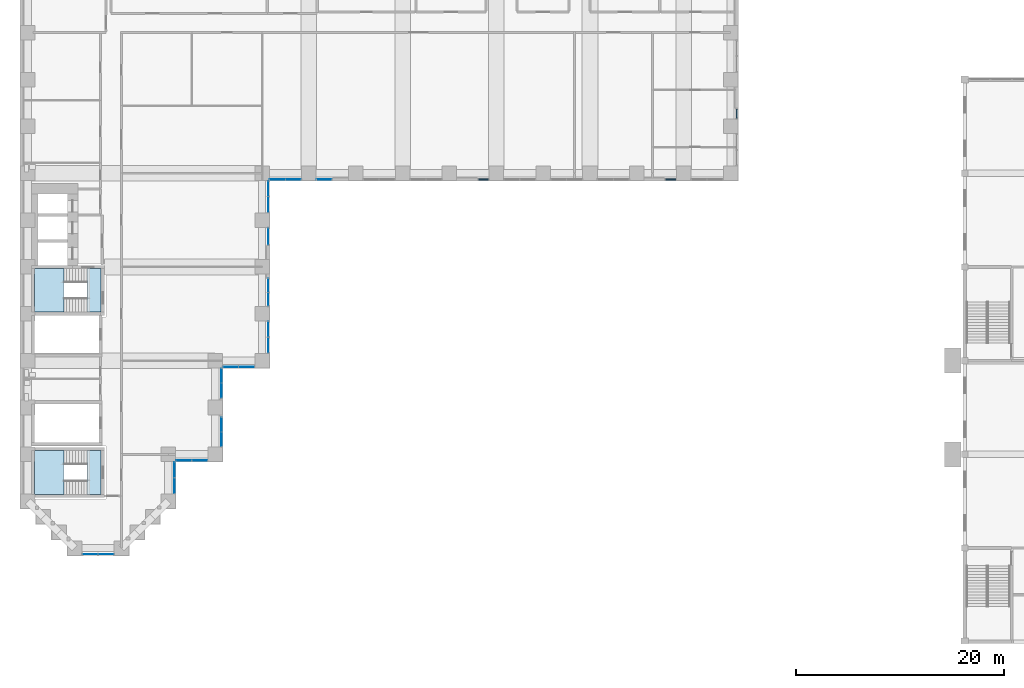
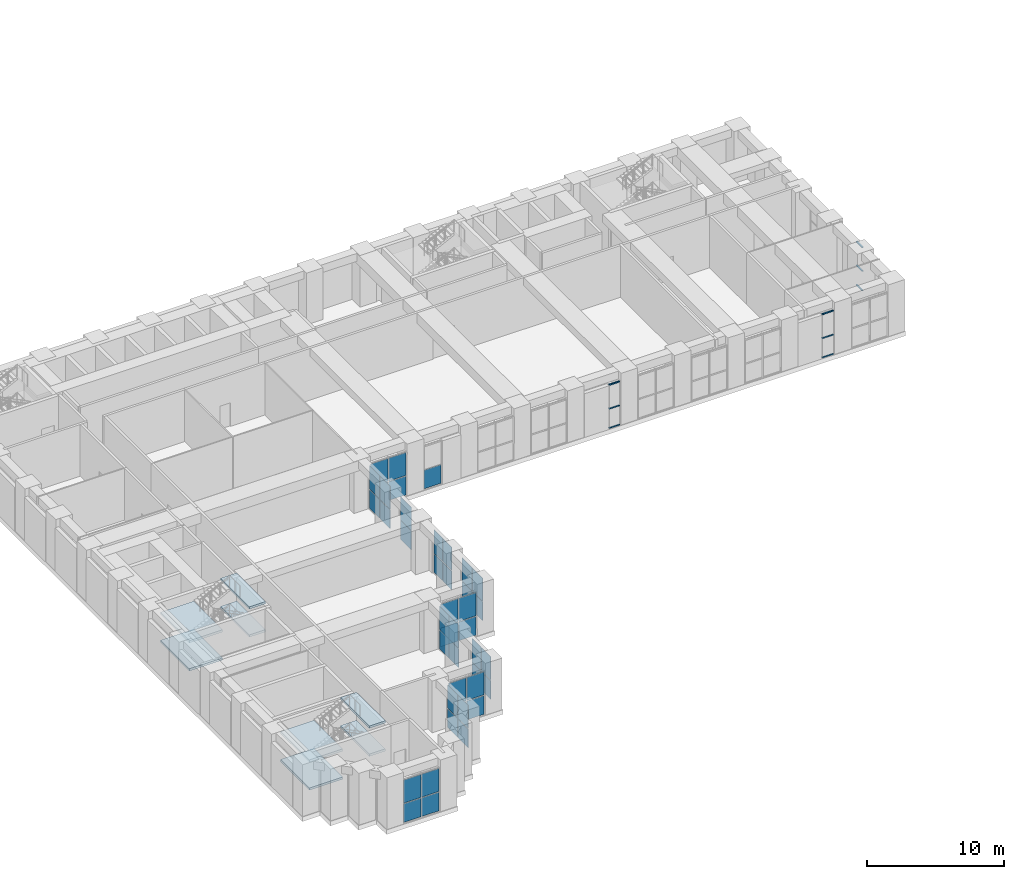
# One storey, part 12 of 34: 43 plates, 9 members, 8 slabs, 17 elements without a shape of their own.
"""IFC4 building model written with IfcOpenShell, lengths in metres."""

from ifc_helpers import new_model, si_unit, direction, frame, origin, origin_2d, place, context, subcontext, project, spatial, polyline, rectangle, outline, extrude, material, layer, layer_set, material_profile, profile_set, type_object, element, aggregate, save


model = new_model("IFC4")

# Units and contexts
model_context = context("Model", 3, precision=1e-05, world=origin(), true_north=direction((0.0, 1.0)))
body_context = subcontext(model_context, "Body", "Model", "MODEL_VIEW")
ifc_project = project(units=[si_unit("LENGTHUNIT", "METRE"), si_unit("AREAUNIT", "SQUARE_METRE"), si_unit("VOLUMEUNIT", "CUBIC_METRE"), si_unit("PLANEANGLEUNIT", "RADIAN"), si_unit("MASSUNIT", "GRAM", prefix="KILO")], contexts=[model_context])

# Site, building, storey
site_placement = place(None, origin())
site = spatial("IfcSite", under=ifc_project, at=site_placement, CompositionType="ELEMENT")
building_placement = place(site_placement, origin())
building = spatial("IfcBuilding", under=site, at=building_placement, Name="Firuza Court", CompositionType="ELEMENT")
storey_placement = place(building_placement, frame((0.0, 0.0, 14.0)))
storey = spatial("IfcBuildingStorey", under=building, at=storey_placement, Name="L02", CompositionType="ELEMENT", Elevation=14.0)

# Curtain wall, members
ifc_material_1 = material(Name="Aluminium curtain wall, triple clear glazing", Category="aluminium")
curtain_wall_type = type_object("IfcCurtainWallType", Name="Podium unitised curtain wall CW1", PredefinedType="NOTDEFINED", material=ifc_material_1)
curtain_wall_1_placement = place(storey_placement, origin())
curtain_wall_1 = element("IfcCurtainWall", 1, at=curtain_wall_1_placement, inside=storey, type_object=curtain_wall_type, Name="Podium unitised curtain wall CW1 L02", PredefinedType="NOTDEFINED")
ifc_material_2 = material(Name="Aluminium EN AW-6060 T66", Category="aluminium")
ifc_material_profile = material_profile(ifc_material_2, rectangle(XDim=0.1201171875, YDim=0.06005859375, at=origin_2d()), Name="Transom 120 x 60 CW1")
ifc_profile_set = profile_set([ifc_material_profile], Name="Aluminium EN AW-6060 T66")
member_type = type_object("IfcMemberType", Name="Transom 120 x 60 CW1", PredefinedType="USERDEFINED", material=ifc_profile_set)
member_1_placement = place(storey_placement, frame((43.336181640625, 35.39990234375, 0.030029296875), z_axis=(1.0, 0.0, 0.0), x_axis=(0.0, 1.0, 0.0)))
member_1 = element("IfcMember", 2, at=member_1_placement, type_object=member_type, Name="CW1 transom 1.1", ObjectType="TRANSOM", PredefinedType="USERDEFINED", context=body_context, shape_type="SweptSolid", body=[
    extrude(rectangle(XDim=0.1201171875, YDim=0.06005859375, at=origin_2d()), origin(), (0.0, 0.0, 1.0), 0.90380859375),
])
member_2_placement = place(storey_placement, frame((43.336181640625, 35.39990234375, 1.7548828125), z_axis=(1.0, 0.0, 0.0), x_axis=(0.0, 1.0, 0.0)))
member_2 = element("IfcMember", 3, at=member_2_placement, type_object=member_type, Name="CW1 transom 1.2", ObjectType="TRANSOM", PredefinedType="USERDEFINED", context=body_context, shape_type="SweptSolid", body=[
    extrude(rectangle(XDim=0.1201171875, YDim=0.06005859375, at=origin_2d()), origin(), (0.0, 0.0, 1.0), 0.90380859375),
])
member_3_placement = place(storey_placement, frame((43.336181640625, 35.39990234375, 3.8701171875), z_axis=(1.0, 0.0, 0.0), x_axis=(0.0, 1.0, 0.0)))
member_3 = element("IfcMember", 4, at=member_3_placement, type_object=member_type, Name="CW1 transom 1.3", ObjectType="TRANSOM", PredefinedType="USERDEFINED", context=body_context, shape_type="SweptSolid", body=[
    extrude(rectangle(XDim=0.1201171875, YDim=0.06005859375, at=origin_2d()), origin(), (0.0, 0.0, 1.0), 0.90380859375),
])
aggregate(curtain_wall_1, [member_1, member_2, member_3])

curtain_wall_2_placement = place(storey_placement, origin())
curtain_wall_2 = element("IfcCurtainWall", 5, at=curtain_wall_2_placement, inside=storey, type_object=curtain_wall_type, Name="Podium unitised curtain wall CW1 L02", PredefinedType="NOTDEFINED")
member_4_placement = place(storey_placement, frame((61.25830078125, 35.39990234375, 0.030029296875), z_axis=(1.0, 0.0, 0.0), x_axis=(0.0, 1.0, 0.0)))
member_4 = element("IfcMember", 6, at=member_4_placement, type_object=member_type, Name="CW1 transom 1.1", ObjectType="TRANSOM", PredefinedType="USERDEFINED", context=body_context, shape_type="SweptSolid", body=[
    extrude(rectangle(XDim=0.1201171875, YDim=0.06005859375, at=origin_2d()), origin(), (0.0, 0.0, 1.0), 0.981689453125),
])
member_5_placement = place(storey_placement, frame((61.25830078125, 35.39990234375, 1.7548828125), z_axis=(1.0, 0.0, 0.0), x_axis=(0.0, 1.0, 0.0)))
member_5 = element("IfcMember", 7, at=member_5_placement, type_object=member_type, Name="CW1 transom 1.2", ObjectType="TRANSOM", PredefinedType="USERDEFINED", context=body_context, shape_type="SweptSolid", body=[
    extrude(rectangle(XDim=0.1201171875, YDim=0.06005859375, at=origin_2d()), origin(), (0.0, 0.0, 1.0), 0.981689453125),
])
member_6_placement = place(storey_placement, frame((61.25830078125, 35.39990234375, 3.8701171875), z_axis=(1.0, 0.0, 0.0), x_axis=(0.0, 1.0, 0.0)))
member_6 = element("IfcMember", 8, at=member_6_placement, type_object=member_type, Name="CW1 transom 1.3", ObjectType="TRANSOM", PredefinedType="USERDEFINED", context=body_context, shape_type="SweptSolid", body=[
    extrude(rectangle(XDim=0.1201171875, YDim=0.06005859375, at=origin_2d()), origin(), (0.0, 0.0, 1.0), 0.981689453125),
])
aggregate(curtain_wall_2, [member_4, member_5, member_6])

curtain_wall_3_placement = place(storey_placement, origin())
curtain_wall_3 = element("IfcCurtainWall", 9, at=curtain_wall_3_placement, inside=storey, type_object=curtain_wall_type, Name="Podium unitised curtain wall CW1 L02", PredefinedType="NOTDEFINED")
member_7_placement = place(storey_placement, frame((68.10009765625, 41.260009765625, 0.030029296875), z_axis=(0.0, 1.0, 0.0), x_axis=(-1.0, 0.0, 0.0)))
member_7 = element("IfcMember", 10, at=member_7_placement, type_object=member_type, Name="CW1 transom 1.1", ObjectType="TRANSOM", PredefinedType="USERDEFINED", context=body_context, shape_type="SweptSolid", body=[
    extrude(rectangle(XDim=0.1201171875, YDim=0.06005859375, at=origin_2d()), origin(), (0.0, 0.0, 1.0), 0.90380859375),
])
member_8_placement = place(storey_placement, frame((68.10009765625, 41.260009765625, 1.7548828125), z_axis=(0.0, 1.0, 0.0), x_axis=(-1.0, 0.0, 0.0)))
member_8 = element("IfcMember", 11, at=member_8_placement, type_object=member_type, Name="CW1 transom 1.2", ObjectType="TRANSOM", PredefinedType="USERDEFINED", context=body_context, shape_type="SweptSolid", body=[
    extrude(rectangle(XDim=0.1201171875, YDim=0.06005859375, at=origin_2d()), origin(), (0.0, 0.0, 1.0), 0.90380859375),
])
member_9_placement = place(storey_placement, frame((68.10009765625, 41.260009765625, 3.8701171875), z_axis=(0.0, 1.0, 0.0), x_axis=(-1.0, 0.0, 0.0)))
member_9 = element("IfcMember", 12, at=member_9_placement, type_object=member_type, Name="CW1 transom 1.3", ObjectType="TRANSOM", PredefinedType="USERDEFINED", context=body_context, shape_type="SweptSolid", body=[
    extrude(rectangle(XDim=0.1201171875, YDim=0.06005859375, at=origin_2d()), origin(), (0.0, 0.0, 1.0), 0.90380859375),
])
aggregate(curtain_wall_3, [member_7, member_8, member_9])

# Curtain wall, plates
curtain_wall_4_placement = place(storey_placement, origin())
curtain_wall_4 = element("IfcCurtainWall", 13, at=curtain_wall_4_placement, inside=storey, type_object=curtain_wall_type, Name="Podium unitised curtain wall CW1 L02", PredefinedType="NOTDEFINED")
ifc_material_3 = material(Name="Triple clear glazing", Category="glass")
ifc_layer_1 = layer(ifc_material_3, 0.031982421875)
ifc_layer_set_1 = layer_set([ifc_layer_1], Name="Triple clear glazing")
plate_type = type_object("IfcPlateType", Name="Glazed panel 32 CW1", PredefinedType="CURTAIN_PANEL", material=ifc_layer_set_1)
plate_1_placement = place(storey_placement, frame((14.10009765625, 5.989990234375, 0.06005859375), z_axis=(0.0, 0.0, 1.0), x_axis=(0.0, 1.0, 0.0)))
plate_1 = element("IfcPlate", 14, at=plate_1_placement, type_object=plate_type, Name="CW1 panel 1.1", PredefinedType="CURTAIN_PANEL", context=body_context, shape_type="SweptSolid", body=[
    extrude(rectangle(XDim=1.4599609375, YDim=0.031982421875, at=origin_2d()), origin(), (0.0, 0.0, 1.0), 1.6650390625),
])
plate_2_placement = place(storey_placement, frame((14.10009765625, 5.989990234375, 1.78515625), z_axis=(0.0, 0.0, 1.0), x_axis=(0.0, 1.0, 0.0)))
plate_2 = element("IfcPlate", 15, at=plate_2_placement, type_object=plate_type, Name="CW1 panel 1.2", PredefinedType="CURTAIN_PANEL", context=body_context, shape_type="SweptSolid", body=[
    extrude(rectangle(XDim=1.4599609375, YDim=0.031982421875, at=origin_2d()), origin(), (0.0, 0.0, 1.0), 2.054931640625),
])
plate_3_placement = place(storey_placement, frame((14.10009765625, 7.510009765625, 0.06005859375), z_axis=(0.0, 0.0, 1.0), x_axis=(0.0, 1.0, 0.0)))
plate_3 = element("IfcPlate", 16, at=plate_3_placement, type_object=plate_type, Name="CW1 panel 2.1", PredefinedType="CURTAIN_PANEL", context=body_context, shape_type="SweptSolid", body=[
    extrude(rectangle(XDim=1.4599609375, YDim=0.031982421875, at=origin_2d()), origin(), (0.0, 0.0, 1.0), 1.6650390625),
])
plate_4_placement = place(storey_placement, frame((14.10009765625, 7.510009765625, 1.78515625), z_axis=(0.0, 0.0, 1.0), x_axis=(0.0, 1.0, 0.0)))
plate_4 = element("IfcPlate", 17, at=plate_4_placement, type_object=plate_type, Name="CW1 panel 2.2", PredefinedType="CURTAIN_PANEL", context=body_context, shape_type="SweptSolid", body=[
    extrude(rectangle(XDim=1.4599609375, YDim=0.031982421875, at=origin_2d()), origin(), (0.0, 0.0, 1.0), 2.054931640625),
])
aggregate(curtain_wall_4, [plate_1, plate_2, plate_3, plate_4])

curtain_wall_5_placement = place(storey_placement, origin())
curtain_wall_5 = element("IfcCurtainWall", 18, at=curtain_wall_5_placement, inside=storey, type_object=curtain_wall_type, Name="Podium unitised curtain wall CW1 L02", PredefinedType="NOTDEFINED")
plate_5_placement = place(storey_placement, frame((14.989990234375, 8.39990234375, 0.06005859375), z_axis=(0.0, 0.0, 1.0), x_axis=(1.0, 0.0, 0.0)))
plate_5 = element("IfcPlate", 19, at=plate_5_placement, type_object=plate_type, Name="CW1 panel 1.1", PredefinedType="CURTAIN_PANEL", context=body_context, shape_type="SweptSolid", body=[
    extrude(rectangle(XDim=1.4599609375, YDim=0.031982421875, at=origin_2d()), origin(), (0.0, 0.0, 1.0), 1.6650390625),
])
plate_6_placement = place(storey_placement, frame((14.989990234375, 8.39990234375, 1.78515625), z_axis=(0.0, 0.0, 1.0), x_axis=(1.0, 0.0, 0.0)))
plate_6 = element("IfcPlate", 20, at=plate_6_placement, type_object=plate_type, Name="CW1 panel 1.2", PredefinedType="CURTAIN_PANEL", context=body_context, shape_type="SweptSolid", body=[
    extrude(rectangle(XDim=1.4599609375, YDim=0.031982421875, at=origin_2d()), origin(), (0.0, 0.0, 1.0), 2.054931640625),
])
plate_7_placement = place(storey_placement, frame((16.510009765625, 8.39990234375, 0.06005859375), z_axis=(0.0, 0.0, 1.0), x_axis=(1.0, 0.0, 0.0)))
plate_7 = element("IfcPlate", 21, at=plate_7_placement, type_object=plate_type, Name="CW1 panel 2.1", PredefinedType="CURTAIN_PANEL", context=body_context, shape_type="SweptSolid", body=[
    extrude(rectangle(XDim=1.4599609375, YDim=0.031982421875, at=origin_2d()), origin(), (0.0, 0.0, 1.0), 1.6650390625),
])
plate_8_placement = place(storey_placement, frame((16.510009765625, 8.39990234375, 1.78515625), z_axis=(0.0, 0.0, 1.0), x_axis=(1.0, 0.0, 0.0)))
plate_8 = element("IfcPlate", 22, at=plate_8_placement, type_object=plate_type, Name="CW1 panel 2.2", PredefinedType="CURTAIN_PANEL", context=body_context, shape_type="SweptSolid", body=[
    extrude(rectangle(XDim=1.4599609375, YDim=0.031982421875, at=origin_2d()), origin(), (0.0, 0.0, 1.0), 2.054931640625),
])
aggregate(curtain_wall_5, [plate_5, plate_6, plate_7, plate_8])

curtain_wall_6_placement = place(storey_placement, origin())
curtain_wall_6 = element("IfcCurtainWall", 23, at=curtain_wall_6_placement, inside=storey, type_object=curtain_wall_type, Name="Podium unitised curtain wall CW1 L02", PredefinedType="NOTDEFINED")
plate_9_placement = place(storey_placement, frame((18.60009765625, 10.4296875, 0.06005859375), z_axis=(0.0, 0.0, 1.0), x_axis=(0.0, 1.0, 0.0)))
plate_9 = element("IfcPlate", 24, at=plate_9_placement, type_object=plate_type, Name="CW1 panel 1.1", PredefinedType="CURTAIN_PANEL", context=body_context, shape_type="SweptSolid", body=[
    extrude(rectangle(XDim=1.339599609375, YDim=0.031982421875, at=origin_2d()), origin(), (0.0, 0.0, 1.0), 1.6650390625),
])
plate_10_placement = place(storey_placement, frame((18.60009765625, 10.4296875, 1.78515625), z_axis=(0.0, 0.0, 1.0), x_axis=(0.0, 1.0, 0.0)))
plate_10 = element("IfcPlate", 25, at=plate_10_placement, type_object=plate_type, Name="CW1 panel 1.2", PredefinedType="CURTAIN_PANEL", context=body_context, shape_type="SweptSolid", body=[
    extrude(rectangle(XDim=1.339599609375, YDim=0.031982421875, at=origin_2d()), origin(), (0.0, 0.0, 1.0), 2.054931640625),
])
plate_11_placement = place(storey_placement, frame((18.60009765625, 11.829345703125, 0.06005859375), z_axis=(0.0, 0.0, 1.0), x_axis=(0.0, 1.0, 0.0)))
plate_11 = element("IfcPlate", 26, at=plate_11_placement, type_object=plate_type, Name="CW1 panel 2.1", PredefinedType="CURTAIN_PANEL", context=body_context, shape_type="SweptSolid", body=[
    extrude(rectangle(XDim=1.339599609375, YDim=0.031982421875, at=origin_2d()), origin(), (0.0, 0.0, 1.0), 1.6650390625),
])
plate_12_placement = place(storey_placement, frame((18.60009765625, 11.829345703125, 1.78515625), z_axis=(0.0, 0.0, 1.0), x_axis=(0.0, 1.0, 0.0)))
plate_12 = element("IfcPlate", 27, at=plate_12_placement, type_object=plate_type, Name="CW1 panel 2.2", PredefinedType="CURTAIN_PANEL", context=body_context, shape_type="SweptSolid", body=[
    extrude(rectangle(XDim=1.339599609375, YDim=0.031982421875, at=origin_2d()), origin(), (0.0, 0.0, 1.0), 2.054931640625),
])
aggregate(curtain_wall_6, [plate_9, plate_10, plate_11, plate_12])

curtain_wall_7_placement = place(storey_placement, origin())
curtain_wall_7 = element("IfcCurtainWall", 28, at=curtain_wall_7_placement, inside=storey, type_object=curtain_wall_type, Name="Podium unitised curtain wall CW1 L02", PredefinedType="NOTDEFINED")
plate_13_placement = place(storey_placement, frame((18.60009765625, 15.13525390625, 0.06005859375), z_axis=(0.0, 0.0, 1.0), x_axis=(0.0, 1.0, 0.0)))
plate_13 = element("IfcPlate", 29, at=plate_13_placement, type_object=plate_type, Name="CW1 panel 1.1", PredefinedType="CURTAIN_PANEL", context=body_context, shape_type="SweptSolid", body=[
    extrude(rectangle(XDim=1.363037109375, YDim=0.031982421875, at=origin_2d()), origin(), (0.0, 0.0, 1.0), 1.6650390625),
])
plate_14_placement = place(storey_placement, frame((18.60009765625, 15.13525390625, 1.78515625), z_axis=(0.0, 0.0, 1.0), x_axis=(0.0, 1.0, 0.0)))
plate_14 = element("IfcPlate", 30, at=plate_14_placement, type_object=plate_type, Name="CW1 panel 1.2", PredefinedType="CURTAIN_PANEL", context=body_context, shape_type="SweptSolid", body=[
    extrude(rectangle(XDim=1.363037109375, YDim=0.031982421875, at=origin_2d()), origin(), (0.0, 0.0, 1.0), 2.054931640625),
])
plate_15_placement = place(storey_placement, frame((18.60009765625, 16.558349609375, 0.06005859375), z_axis=(0.0, 0.0, 1.0), x_axis=(0.0, 1.0, 0.0)))
plate_15 = element("IfcPlate", 31, at=plate_15_placement, type_object=plate_type, Name="CW1 panel 2.1", PredefinedType="CURTAIN_PANEL", context=body_context, shape_type="SweptSolid", body=[
    extrude(rectangle(XDim=1.363037109375, YDim=0.031982421875, at=origin_2d()), origin(), (0.0, 0.0, 1.0), 1.6650390625),
])
plate_16_placement = place(storey_placement, frame((18.60009765625, 16.558349609375, 1.78515625), z_axis=(0.0, 0.0, 1.0), x_axis=(0.0, 1.0, 0.0)))
plate_16 = element("IfcPlate", 32, at=plate_16_placement, type_object=plate_type, Name="CW1 panel 2.2", PredefinedType="CURTAIN_PANEL", context=body_context, shape_type="SweptSolid", body=[
    extrude(rectangle(XDim=1.363037109375, YDim=0.031982421875, at=origin_2d()), origin(), (0.0, 0.0, 1.0), 2.054931640625),
])
aggregate(curtain_wall_7, [plate_13, plate_14, plate_15, plate_16])

curtain_wall_8_placement = place(storey_placement, origin())
curtain_wall_8 = element("IfcCurtainWall", 33, at=curtain_wall_8_placement, inside=storey, type_object=curtain_wall_type, Name="Podium unitised curtain wall CW1 L02", PredefinedType="NOTDEFINED")
plate_17_placement = place(storey_placement, frame((19.489990234375, 17.39990234375, 0.06005859375), z_axis=(0.0, 0.0, 1.0), x_axis=(1.0, 0.0, 0.0)))
plate_17 = element("IfcPlate", 34, at=plate_17_placement, type_object=plate_type, Name="CW1 panel 1.1", PredefinedType="CURTAIN_PANEL", context=body_context, shape_type="SweptSolid", body=[
    extrude(rectangle(XDim=1.4599609375, YDim=0.031982421875, at=origin_2d()), origin(), (0.0, 0.0, 1.0), 1.6650390625),
])
plate_18_placement = place(storey_placement, frame((19.489990234375, 17.39990234375, 1.78515625), z_axis=(0.0, 0.0, 1.0), x_axis=(1.0, 0.0, 0.0)))
plate_18 = element("IfcPlate", 35, at=plate_18_placement, type_object=plate_type, Name="CW1 panel 1.2", PredefinedType="CURTAIN_PANEL", context=body_context, shape_type="SweptSolid", body=[
    extrude(rectangle(XDim=1.4599609375, YDim=0.031982421875, at=origin_2d()), origin(), (0.0, 0.0, 1.0), 2.054931640625),
])
plate_19_placement = place(storey_placement, frame((21.010009765625, 17.39990234375, 0.06005859375), z_axis=(0.0, 0.0, 1.0), x_axis=(1.0, 0.0, 0.0)))
plate_19 = element("IfcPlate", 36, at=plate_19_placement, type_object=plate_type, Name="CW1 panel 2.1", PredefinedType="CURTAIN_PANEL", context=body_context, shape_type="SweptSolid", body=[
    extrude(rectangle(XDim=1.4599609375, YDim=0.031982421875, at=origin_2d()), origin(), (0.0, 0.0, 1.0), 1.6650390625),
])
plate_20_placement = place(storey_placement, frame((21.010009765625, 17.39990234375, 1.78515625), z_axis=(0.0, 0.0, 1.0), x_axis=(1.0, 0.0, 0.0)))
plate_20 = element("IfcPlate", 37, at=plate_20_placement, type_object=plate_type, Name="CW1 panel 2.2", PredefinedType="CURTAIN_PANEL", context=body_context, shape_type="SweptSolid", body=[
    extrude(rectangle(XDim=1.4599609375, YDim=0.031982421875, at=origin_2d()), origin(), (0.0, 0.0, 1.0), 2.054931640625),
])
aggregate(curtain_wall_8, [plate_17, plate_18, plate_19, plate_20])

curtain_wall_9_placement = place(storey_placement, origin())
curtain_wall_9 = element("IfcCurtainWall", 38, at=curtain_wall_9_placement, inside=storey, type_object=curtain_wall_type, Name="Podium unitised curtain wall CW1 L02", PredefinedType="NOTDEFINED")
plate_21_placement = place(storey_placement, frame((23.10009765625, 19.489990234375, 0.06005859375), z_axis=(0.0, 0.0, 1.0), x_axis=(0.0, 1.0, 0.0)))
plate_21 = element("IfcPlate", 39, at=plate_21_placement, type_object=plate_type, Name="CW1 panel 1.1", PredefinedType="CURTAIN_PANEL", context=body_context, shape_type="SweptSolid", body=[
    extrude(rectangle(XDim=1.4599609375, YDim=0.031982421875, at=origin_2d()), origin(), (0.0, 0.0, 1.0), 1.6650390625),
])
plate_22_placement = place(storey_placement, frame((23.10009765625, 19.489990234375, 1.78515625), z_axis=(0.0, 0.0, 1.0), x_axis=(0.0, 1.0, 0.0)))
plate_22 = element("IfcPlate", 40, at=plate_22_placement, type_object=plate_type, Name="CW1 panel 1.2", PredefinedType="CURTAIN_PANEL", context=body_context, shape_type="SweptSolid", body=[
    extrude(rectangle(XDim=1.4599609375, YDim=0.031982421875, at=origin_2d()), origin(), (0.0, 0.0, 1.0), 2.054931640625),
])
plate_23_placement = place(storey_placement, frame((23.10009765625, 21.010009765625, 0.06005859375), z_axis=(0.0, 0.0, 1.0), x_axis=(0.0, 1.0, 0.0)))
plate_23 = element("IfcPlate", 41, at=plate_23_placement, type_object=plate_type, Name="CW1 panel 2.1", PredefinedType="CURTAIN_PANEL", context=body_context, shape_type="SweptSolid", body=[
    extrude(rectangle(XDim=1.4599609375, YDim=0.031982421875, at=origin_2d()), origin(), (0.0, 0.0, 1.0), 1.6650390625),
])
plate_24_placement = place(storey_placement, frame((23.10009765625, 21.010009765625, 1.78515625), z_axis=(0.0, 0.0, 1.0), x_axis=(0.0, 1.0, 0.0)))
plate_24 = element("IfcPlate", 42, at=plate_24_placement, type_object=plate_type, Name="CW1 panel 2.2", PredefinedType="CURTAIN_PANEL", context=body_context, shape_type="SweptSolid", body=[
    extrude(rectangle(XDim=1.4599609375, YDim=0.031982421875, at=origin_2d()), origin(), (0.0, 0.0, 1.0), 2.054931640625),
])
aggregate(curtain_wall_9, [plate_21, plate_22, plate_23, plate_24])

curtain_wall_10_placement = place(storey_placement, origin())
curtain_wall_10 = element("IfcCurtainWall", 43, at=curtain_wall_10_placement, inside=storey, type_object=curtain_wall_type, Name="Podium unitised curtain wall CW1 L02", PredefinedType="NOTDEFINED")
plate_25_placement = place(storey_placement, frame((23.10009765625, 23.89306640625, 0.06005859375), z_axis=(0.0, 0.0, 1.0), x_axis=(0.0, 1.0, 0.0)))
plate_25 = element("IfcPlate", 44, at=plate_25_placement, type_object=plate_type, Name="CW1 panel 1.1", PredefinedType="CURTAIN_PANEL", context=body_context, shape_type="SweptSolid", body=[
    extrude(rectangle(XDim=1.26611328125, YDim=0.031982421875, at=origin_2d()), origin(), (0.0, 0.0, 1.0), 1.6650390625),
])
plate_26_placement = place(storey_placement, frame((23.10009765625, 23.89306640625, 1.78515625), z_axis=(0.0, 0.0, 1.0), x_axis=(0.0, 1.0, 0.0)))
plate_26 = element("IfcPlate", 45, at=plate_26_placement, type_object=plate_type, Name="CW1 panel 1.2", PredefinedType="CURTAIN_PANEL", context=body_context, shape_type="SweptSolid", body=[
    extrude(rectangle(XDim=1.26611328125, YDim=0.031982421875, at=origin_2d()), origin(), (0.0, 0.0, 1.0), 2.054931640625),
])
plate_27_placement = place(storey_placement, frame((23.10009765625, 25.21923828125, 0.06005859375), z_axis=(0.0, 0.0, 1.0), x_axis=(0.0, 1.0, 0.0)))
plate_27 = element("IfcPlate", 46, at=plate_27_placement, type_object=plate_type, Name="CW1 panel 2.1", PredefinedType="CURTAIN_PANEL", context=body_context, shape_type="SweptSolid", body=[
    extrude(rectangle(XDim=1.26611328125, YDim=0.031982421875, at=origin_2d()), origin(), (0.0, 0.0, 1.0), 1.6650390625),
])
plate_28_placement = place(storey_placement, frame((23.10009765625, 25.21923828125, 1.78515625), z_axis=(0.0, 0.0, 1.0), x_axis=(0.0, 1.0, 0.0)))
plate_28 = element("IfcPlate", 47, at=plate_28_placement, type_object=plate_type, Name="CW1 panel 2.2", PredefinedType="CURTAIN_PANEL", context=body_context, shape_type="SweptSolid", body=[
    extrude(rectangle(XDim=1.26611328125, YDim=0.031982421875, at=origin_2d()), origin(), (0.0, 0.0, 1.0), 2.054931640625),
])
aggregate(curtain_wall_10, [plate_25, plate_26, plate_27, plate_28])

curtain_wall_11_placement = place(storey_placement, origin())
curtain_wall_11 = element("IfcCurtainWall", 48, at=curtain_wall_11_placement, inside=storey, type_object=curtain_wall_type, Name="Podium unitised curtain wall CW1 L02", PredefinedType="NOTDEFINED")
plate_29_placement = place(storey_placement, frame((23.10009765625, 29.934326171875, 0.06005859375), z_axis=(0.0, 0.0, 1.0), x_axis=(0.0, 1.0, 0.0)))
plate_29 = element("IfcPlate", 49, at=plate_29_placement, type_object=plate_type, Name="CW1 panel 1.1", PredefinedType="CURTAIN_PANEL", context=body_context, shape_type="SweptSolid", body=[
    extrude(rectangle(XDim=1.611328125, YDim=0.031982421875, at=origin_2d()), origin(), (0.0, 0.0, 1.0), 1.6650390625),
])
plate_30_placement = place(storey_placement, frame((23.10009765625, 29.934326171875, 1.78515625), z_axis=(0.0, 0.0, 1.0), x_axis=(0.0, 1.0, 0.0)))
plate_30 = element("IfcPlate", 50, at=plate_30_placement, type_object=plate_type, Name="CW1 panel 1.2", PredefinedType="CURTAIN_PANEL", context=body_context, shape_type="SweptSolid", body=[
    extrude(rectangle(XDim=1.611328125, YDim=0.031982421875, at=origin_2d()), origin(), (0.0, 0.0, 1.0), 2.054931640625),
])
aggregate(curtain_wall_11, [plate_29, plate_30])

curtain_wall_12_placement = place(storey_placement, origin())
curtain_wall_12 = element("IfcCurtainWall", 51, at=curtain_wall_12_placement, inside=storey, type_object=curtain_wall_type, Name="Podium unitised curtain wall CW1 L02", PredefinedType="NOTDEFINED")
plate_31_placement = place(storey_placement, frame((23.10009765625, 32.989990234375, 0.06005859375), z_axis=(0.0, 0.0, 1.0), x_axis=(0.0, 1.0, 0.0)))
plate_31 = element("IfcPlate", 52, at=plate_31_placement, type_object=plate_type, Name="CW1 panel 1.1", PredefinedType="CURTAIN_PANEL", context=body_context, shape_type="SweptSolid", body=[
    extrude(rectangle(XDim=1.4599609375, YDim=0.031982421875, at=origin_2d()), origin(), (0.0, 0.0, 1.0), 1.6650390625),
])
plate_32_placement = place(storey_placement, frame((23.10009765625, 32.989990234375, 1.78515625), z_axis=(0.0, 0.0, 1.0), x_axis=(0.0, 1.0, 0.0)))
plate_32 = element("IfcPlate", 53, at=plate_32_placement, type_object=plate_type, Name="CW1 panel 1.2", PredefinedType="CURTAIN_PANEL", context=body_context, shape_type="SweptSolid", body=[
    extrude(rectangle(XDim=1.4599609375, YDim=0.031982421875, at=origin_2d()), origin(), (0.0, 0.0, 1.0), 2.054931640625),
])
plate_33_placement = place(storey_placement, frame((23.10009765625, 34.510009765625, 0.06005859375), z_axis=(0.0, 0.0, 1.0), x_axis=(0.0, 1.0, 0.0)))
plate_33 = element("IfcPlate", 54, at=plate_33_placement, type_object=plate_type, Name="CW1 panel 2.1", PredefinedType="CURTAIN_PANEL", context=body_context, shape_type="SweptSolid", body=[
    extrude(rectangle(XDim=1.4599609375, YDim=0.031982421875, at=origin_2d()), origin(), (0.0, 0.0, 1.0), 1.6650390625),
])
plate_34_placement = place(storey_placement, frame((23.10009765625, 34.510009765625, 1.78515625), z_axis=(0.0, 0.0, 1.0), x_axis=(0.0, 1.0, 0.0)))
plate_34 = element("IfcPlate", 55, at=plate_34_placement, type_object=plate_type, Name="CW1 panel 2.2", PredefinedType="CURTAIN_PANEL", context=body_context, shape_type="SweptSolid", body=[
    extrude(rectangle(XDim=1.4599609375, YDim=0.031982421875, at=origin_2d()), origin(), (0.0, 0.0, 1.0), 2.054931640625),
])
aggregate(curtain_wall_12, [plate_31, plate_32, plate_33, plate_34])

curtain_wall_13_placement = place(storey_placement, origin())
curtain_wall_13 = element("IfcCurtainWall", 56, at=curtain_wall_13_placement, inside=storey, type_object=curtain_wall_type, Name="Podium unitised curtain wall CW1 L02", PredefinedType="NOTDEFINED")
plate_35_placement = place(storey_placement, frame((23.989990234375, 35.39990234375, 0.06005859375), z_axis=(0.0, 0.0, 1.0), x_axis=(1.0, 0.0, 0.0)))
plate_35 = element("IfcPlate", 57, at=plate_35_placement, type_object=plate_type, Name="CW1 panel 1.1", PredefinedType="CURTAIN_PANEL", context=body_context, shape_type="SweptSolid", body=[
    extrude(rectangle(XDim=1.4599609375, YDim=0.031982421875, at=origin_2d()), origin(), (0.0, 0.0, 1.0), 1.6650390625),
])
plate_36_placement = place(storey_placement, frame((23.989990234375, 35.39990234375, 1.78515625), z_axis=(0.0, 0.0, 1.0), x_axis=(1.0, 0.0, 0.0)))
plate_36 = element("IfcPlate", 58, at=plate_36_placement, type_object=plate_type, Name="CW1 panel 1.2", PredefinedType="CURTAIN_PANEL", context=body_context, shape_type="SweptSolid", body=[
    extrude(rectangle(XDim=1.4599609375, YDim=0.031982421875, at=origin_2d()), origin(), (0.0, 0.0, 1.0), 2.054931640625),
])
plate_37_placement = place(storey_placement, frame((25.510009765625, 35.39990234375, 0.06005859375), z_axis=(0.0, 0.0, 1.0), x_axis=(1.0, 0.0, 0.0)))
plate_37 = element("IfcPlate", 59, at=plate_37_placement, type_object=plate_type, Name="CW1 panel 2.1", PredefinedType="CURTAIN_PANEL", context=body_context, shape_type="SweptSolid", body=[
    extrude(rectangle(XDim=1.4599609375, YDim=0.031982421875, at=origin_2d()), origin(), (0.0, 0.0, 1.0), 1.6650390625),
])
plate_38_placement = place(storey_placement, frame((25.510009765625, 35.39990234375, 1.78515625), z_axis=(0.0, 0.0, 1.0), x_axis=(1.0, 0.0, 0.0)))
plate_38 = element("IfcPlate", 60, at=plate_38_placement, type_object=plate_type, Name="CW1 panel 2.2", PredefinedType="CURTAIN_PANEL", context=body_context, shape_type="SweptSolid", body=[
    extrude(rectangle(XDim=1.4599609375, YDim=0.031982421875, at=origin_2d()), origin(), (0.0, 0.0, 1.0), 2.054931640625),
])
aggregate(curtain_wall_13, [plate_35, plate_36, plate_37, plate_38])

# Curtain wall, plate
curtain_wall_14_placement = place(storey_placement, origin())
curtain_wall_14 = element("IfcCurtainWall", 61, at=curtain_wall_14_placement, inside=storey, type_object=curtain_wall_type, Name="Podium unitised curtain wall CW1 L02", PredefinedType="NOTDEFINED")
plate_39_placement = place(storey_placement, frame((28.468017578125, 35.39990234375, 0.06005859375), z_axis=(0.0, 0.0, 1.0), x_axis=(1.0, 0.0, 0.0)))
plate_39 = element("IfcPlate", 62, at=plate_39_placement, type_object=plate_type, Name="CW1 panel 1.1", PredefinedType="CURTAIN_PANEL", context=body_context, shape_type="SweptSolid", body=[
    extrude(rectangle(XDim=1.416015625, YDim=0.031982421875, at=origin_2d()), origin(), (0.0, 0.0, 1.0), 1.6650390625),
])
aggregate(curtain_wall_14, [plate_39])

# Curtain wall, plates
curtain_wall_15_placement = place(storey_placement, origin())
curtain_wall_15 = element("IfcCurtainWall", 63, at=curtain_wall_15_placement, inside=storey, type_object=curtain_wall_type, Name="Podium unitised curtain wall CW1 L02", PredefinedType="NOTDEFINED")
plate_40_placement = place(storey_placement, frame((5.989990234375, -0.60009765625, 0.06005859375), z_axis=(0.0, 0.0, 1.0), x_axis=(1.0, 0.0, 0.0)))
plate_40 = element("IfcPlate", 64, at=plate_40_placement, type_object=plate_type, Name="CW1 panel 1.1", PredefinedType="CURTAIN_PANEL", context=body_context, shape_type="SweptSolid", body=[
    extrude(rectangle(XDim=1.4599609375, YDim=0.031982421875, at=origin_2d()), origin(), (0.0, 0.0, 1.0), 1.6650390625),
])
plate_41_placement = place(storey_placement, frame((5.989990234375, -0.60009765625, 1.78515625), z_axis=(0.0, 0.0, 1.0), x_axis=(1.0, 0.0, 0.0)))
plate_41 = element("IfcPlate", 65, at=plate_41_placement, type_object=plate_type, Name="CW1 panel 1.2", PredefinedType="CURTAIN_PANEL", context=body_context, shape_type="SweptSolid", body=[
    extrude(rectangle(XDim=1.4599609375, YDim=0.031982421875, at=origin_2d()), origin(), (0.0, 0.0, 1.0), 2.054931640625),
])
plate_42_placement = place(storey_placement, frame((7.510009765625, -0.60009765625, 0.06005859375), z_axis=(0.0, 0.0, 1.0), x_axis=(1.0, 0.0, 0.0)))
plate_42 = element("IfcPlate", 66, at=plate_42_placement, type_object=plate_type, Name="CW1 panel 2.1", PredefinedType="CURTAIN_PANEL", context=body_context, shape_type="SweptSolid", body=[
    extrude(rectangle(XDim=1.4599609375, YDim=0.031982421875, at=origin_2d()), origin(), (0.0, 0.0, 1.0), 1.6650390625),
])
plate_43_placement = place(storey_placement, frame((7.510009765625, -0.60009765625, 1.78515625), z_axis=(0.0, 0.0, 1.0), x_axis=(1.0, 0.0, 0.0)))
plate_43 = element("IfcPlate", 67, at=plate_43_placement, type_object=plate_type, Name="CW1 panel 2.2", PredefinedType="CURTAIN_PANEL", context=body_context, shape_type="SweptSolid", body=[
    extrude(rectangle(XDim=1.4599609375, YDim=0.031982421875, at=origin_2d()), origin(), (0.0, 0.0, 1.0), 2.054931640625),
])
aggregate(curtain_wall_15, [plate_40, plate_41, plate_42, plate_43])

# Stair, slabs
ifc_material_4 = material(Name="Concrete C40/50 precast", Category="concrete")
stair_type = type_object("IfcStairType", Name="Stair 1350 x 5000 4 flights", PredefinedType="QUARTER_TURN_STAIR", material=ifc_material_4)
stair_1_placement = place(storey_placement, origin())
stair_1 = element("IfcStair", 68, at=stair_1_placement, inside=storey, type_object=stair_type, Name="Stair 2 L02", PredefinedType="QUARTER_TURN_STAIR")
ifc_material_5 = material(Name="Concrete C40/50 precast", Category="concrete")
ifc_layer_2 = layer(ifc_material_5, 0.199951171875)
ifc_layer_set_2 = layer_set([ifc_layer_2], Name="Concrete C40/50 precast")
slab_type = type_object("IfcSlabType", Name="Stair landing 200", PredefinedType="LANDING", material=ifc_layer_set_2)
slab_1_placement = place(storey_placement, frame((0.0, 0.0, 1.050048828125)))
slab_1 = element("IfcSlab", 69, at=slab_1_placement, type_object=slab_type, Name="S2 landing 1", PredefinedType="LANDING", context=body_context, shape_type="SweptSolid", body=[
    extrude(outline(polyline([(3.4599609375, 22.64990234375), (3.4599609375, 26.85009765625), (0.64990234375, 26.85009765625), (0.64990234375, 22.64990234375), (3.4599609375, 22.64990234375)])), origin(), (0.0, 0.0, 1.0), 0.199951171875),
])
slab_2_placement = place(storey_placement, frame((0.0, 0.0, 2.300048828125)))
slab_2 = element("IfcSlab", 70, at=slab_2_placement, type_object=slab_type, Name="S2 landing 2", PredefinedType="LANDING", context=body_context, shape_type="SweptSolid", body=[
    extrude(outline(polyline([(7.050048828125, 22.64990234375), (7.050048828125, 26.85009765625), (5.699951171875, 26.85009765625), (5.699951171875, 22.64990234375), (7.050048828125, 22.64990234375)])), origin(), (0.0, 0.0, 1.0), 0.199951171875),
])
slab_3_placement = place(storey_placement, frame((0.0, 0.0, 3.550048828125)))
slab_3 = element("IfcSlab", 71, at=slab_3_placement, type_object=slab_type, Name="S2 landing 3", PredefinedType="LANDING", context=body_context, shape_type="SweptSolid", body=[
    extrude(outline(polyline([(3.4599609375, 22.64990234375), (3.4599609375, 26.85009765625), (0.64990234375, 26.85009765625), (0.64990234375, 22.64990234375), (3.4599609375, 22.64990234375)])), origin(), (0.0, 0.0, 1.0), 0.199951171875),
])
slab_4_placement = place(storey_placement, frame((0.0, 0.0, 4.800048828125)))
slab_4 = element("IfcSlab", 72, at=slab_4_placement, type_object=slab_type, Name="S2 landing 4", PredefinedType="LANDING", context=body_context, shape_type="SweptSolid", body=[
    extrude(outline(polyline([(7.050048828125, 22.64990234375), (7.050048828125, 26.85009765625), (5.699951171875, 26.85009765625), (5.699951171875, 22.64990234375), (7.050048828125, 22.64990234375)])), origin(), (0.0, 0.0, 1.0), 0.199951171875),
])
aggregate(stair_1, [slab_1, slab_2, slab_3, slab_4])

stair_2_placement = place(storey_placement, origin())
stair_2 = element("IfcStair", 73, at=stair_2_placement, inside=storey, type_object=stair_type, Name="Stair 5 L02", PredefinedType="QUARTER_TURN_STAIR")
slab_5_placement = place(storey_placement, frame((0.0, 0.0, 1.050048828125)))
slab_5 = element("IfcSlab", 74, at=slab_5_placement, type_object=slab_type, Name="S5 landing 1", PredefinedType="LANDING", context=body_context, shape_type="SweptSolid", body=[
    extrude(outline(polyline([(3.4599609375, 5.14990234375), (3.4599609375, 9.35009765625), (0.64990234375, 9.35009765625), (0.64990234375, 5.14990234375), (3.4599609375, 5.14990234375)])), origin(), (0.0, 0.0, 1.0), 0.199951171875),
])
slab_6_placement = place(storey_placement, frame((0.0, 0.0, 2.300048828125)))
slab_6 = element("IfcSlab", 75, at=slab_6_placement, type_object=slab_type, Name="S5 landing 2", PredefinedType="LANDING", context=body_context, shape_type="SweptSolid", body=[
    extrude(outline(polyline([(7.050048828125, 5.14990234375), (7.050048828125, 9.35009765625), (5.699951171875, 9.35009765625), (5.699951171875, 5.14990234375), (7.050048828125, 5.14990234375)])), origin(), (0.0, 0.0, 1.0), 0.199951171875),
])
slab_7_placement = place(storey_placement, frame((0.0, 0.0, 3.550048828125)))
slab_7 = element("IfcSlab", 76, at=slab_7_placement, type_object=slab_type, Name="S5 landing 3", PredefinedType="LANDING", context=body_context, shape_type="SweptSolid", body=[
    extrude(outline(polyline([(3.4599609375, 5.14990234375), (3.4599609375, 9.35009765625), (0.64990234375, 9.35009765625), (0.64990234375, 5.14990234375), (3.4599609375, 5.14990234375)])), origin(), (0.0, 0.0, 1.0), 0.199951171875),
])
slab_8_placement = place(storey_placement, frame((0.0, 0.0, 4.800048828125)))
slab_8 = element("IfcSlab", 77, at=slab_8_placement, type_object=slab_type, Name="S5 landing 4", PredefinedType="LANDING", context=body_context, shape_type="SweptSolid", body=[
    extrude(outline(polyline([(7.050048828125, 5.14990234375), (7.050048828125, 9.35009765625), (5.699951171875, 9.35009765625), (5.699951171875, 5.14990234375), (7.050048828125, 5.14990234375)])), origin(), (0.0, 0.0, 1.0), 0.199951171875),
])
aggregate(stair_2, [slab_5, slab_6, slab_7, slab_8])

save(model, "model.ifc")
